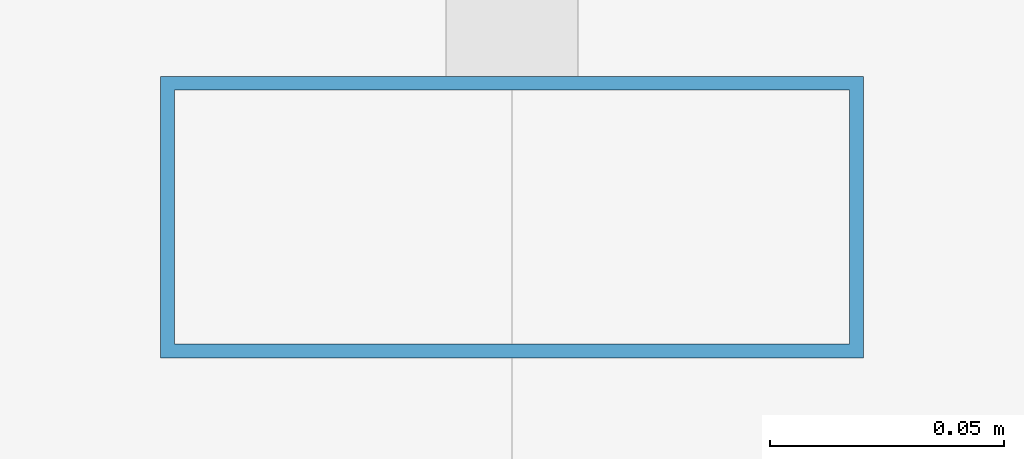
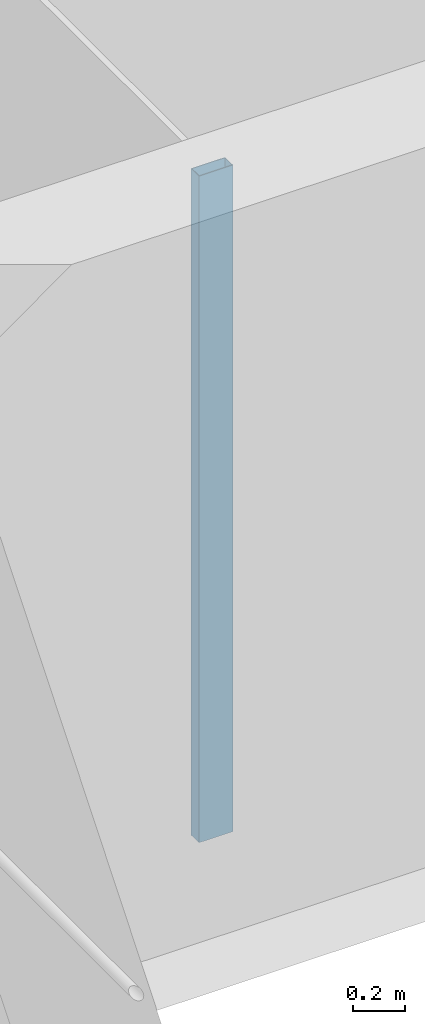
# One storey, part 11 of 30: 1 member, 1 element without a shape of its own.
"""IFC4 building model written with IfcOpenShell, lengths in metres."""

from ifc_helpers import new_model, si_unit, direction, frame, origin, origin_2d, place, context, subcontext, project, spatial, hollow_rectangle, extrude, material, material_profile, profile_set, type_object, element, aggregate, save


model = new_model("IFC4")

# Units and contexts
model_context = context("Model", 3, precision=1e-05, world=origin(), true_north=direction((0.0, 1.0)))
body_context = subcontext(model_context, "Body", "Model", "MODEL_VIEW")
ifc_project = project(units=[si_unit("LENGTHUNIT", "METRE"), si_unit("AREAUNIT", "SQUARE_METRE"), si_unit("VOLUMEUNIT", "CUBIC_METRE"), si_unit("PLANEANGLEUNIT", "RADIAN"), si_unit("MASSUNIT", "GRAM", prefix="KILO")], contexts=[model_context])

# Site, building, storey
site_placement = place(None, origin())
site = spatial("IfcSite", under=ifc_project, at=site_placement, CompositionType="ELEMENT")
building_placement = place(site_placement, origin())
building = spatial("IfcBuilding", under=site, at=building_placement, Name="Altepetl Exchange Towers", CompositionType="ELEMENT")
storey_placement = place(building_placement, frame((0.0, 0.0, 224.39990234375)))
storey = spatial("IfcBuildingStorey", under=building, at=storey_placement, Name="L57", CompositionType="ELEMENT", Elevation=224.39990234375)

# Curtain wall, member
ifc_material_1 = material(Name="Aluminium 6063-T6 glazing", Category="aluminium")
curtain_wall_type = type_object("IfcCurtainWallType", Name="Loggia glazing system", PredefinedType="NOTDEFINED", material=ifc_material_1)
curtain_wall_placement = place(storey_placement, origin())
curtain_wall = element("IfcCurtainWall", 1, at=curtain_wall_placement, inside=storey, type_object=curtain_wall_type, Name="CW1 run", PredefinedType="NOTDEFINED")
ifc_material_2 = material(Name="Aluminium 6063-T6", Category="aluminium")
ifc_material_profile = material_profile(ifc_material_2, hollow_rectangle(XDim=0.06005859375, YDim=0.14990234375, WallThickness=0.0029296875, at=origin_2d()), Name="Mullion 60x150 aluminium")
ifc_profile_set = profile_set([ifc_material_profile], Name="Aluminium 6063-T6")
member_type = type_object("IfcMemberType", Name="Mullion 60x150 aluminium", PredefinedType="MULLION", material=ifc_profile_set)
member_placement = place(storey_placement, frame((42.5, 58.60498046875, 0.0), z_axis=(0.0, 0.0, 1.0), x_axis=(0.0, -1.0, 0.0)))
member = element("IfcMember", 2, at=member_placement, type_object=member_type, Name="MU1 mullion", PredefinedType="MULLION", context=body_context, shape_type="SweptSolid", body=[
    extrude(hollow_rectangle(XDim=0.06005859375, YDim=0.14990234375, WallThickness=0.0029296875, at=origin_2d()), origin(), (0.0, 0.0, 1.0), 3.10009765625),
])
aggregate(curtain_wall, [member])

save(model, "model.ifc")
